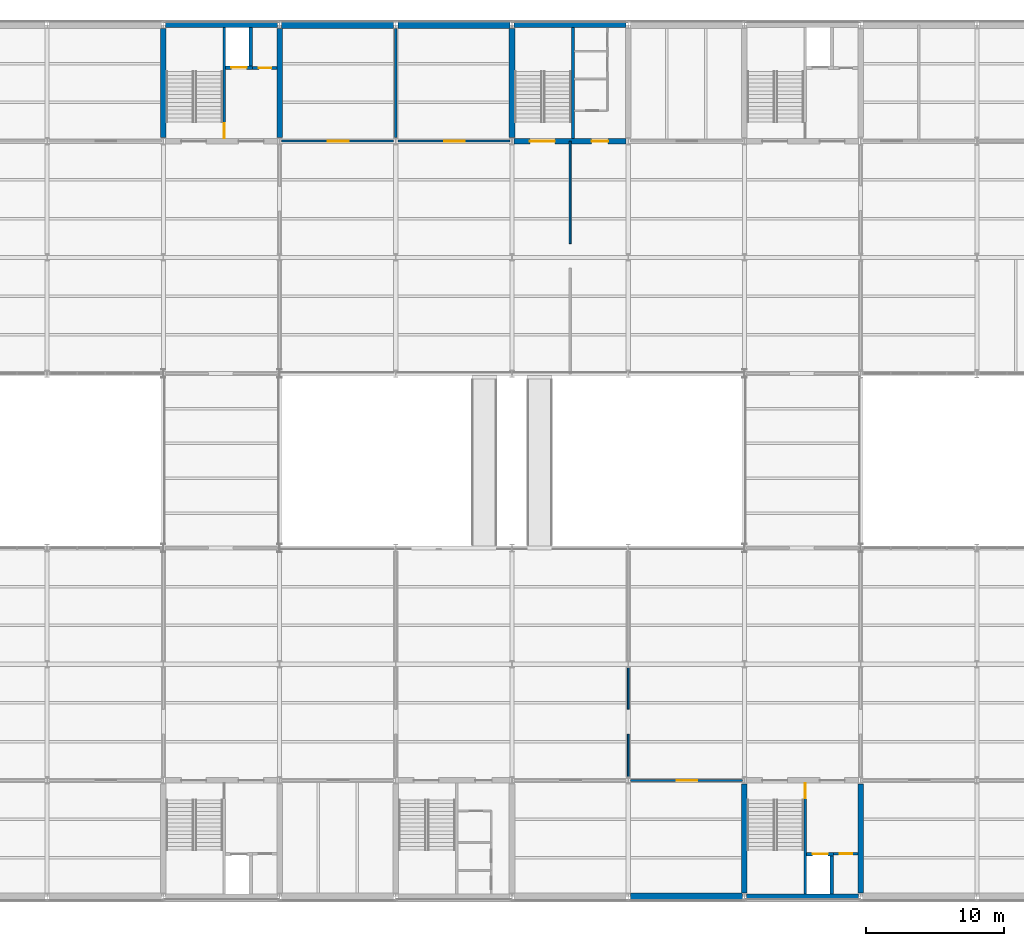
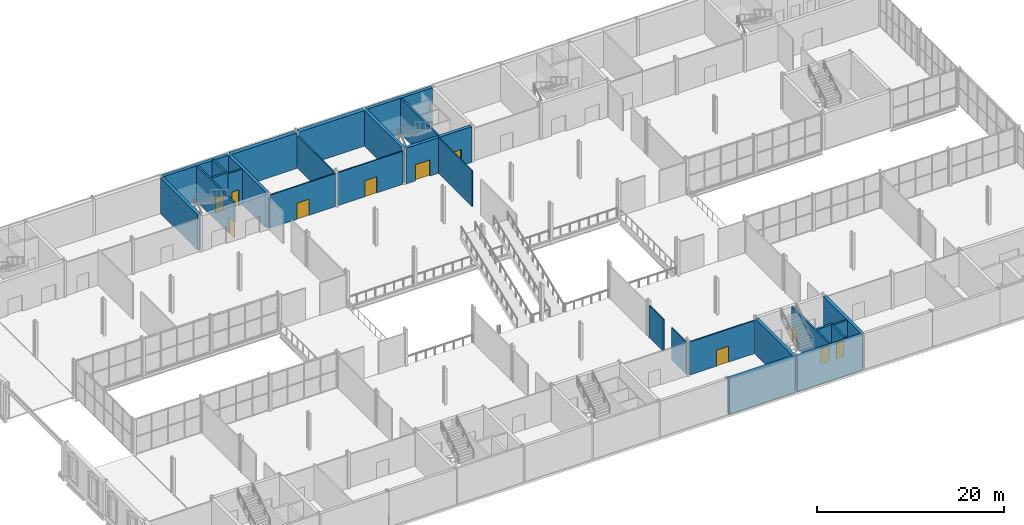
# One storey, part 38 of 61: 28 walls, 11 doors, 11 openings.
"""IFC4 building model written with IfcOpenShell, lengths in metres."""

from ifc_helpers import new_model, si_unit, direction, frame, frame_2d, origin, place, context, subcontext, project, spatial, rectangle, extrude, material, layer, layer_set, type_object, element, fill, save


model = new_model("IFC4")

# Units and contexts
model_context = context("Model", 3, precision=1e-05, world=origin(), true_north=direction((0.0, 1.0)))
body_context = subcontext(model_context, "Body", "Model", "MODEL_VIEW")
ifc_project = project(units=[si_unit("LENGTHUNIT", "METRE"), si_unit("AREAUNIT", "SQUARE_METRE"), si_unit("VOLUMEUNIT", "CUBIC_METRE"), si_unit("PLANEANGLEUNIT", "RADIAN"), si_unit("MASSUNIT", "GRAM", prefix="KILO")], contexts=[model_context])

# Site, building, storey
site_placement = place(None, origin())
site = spatial("IfcSite", under=ifc_project, at=site_placement, CompositionType="ELEMENT")
building_placement = place(site_placement, origin())
building = spatial("IfcBuilding", under=site, at=building_placement, Name="Galleria Vessillo Department Store", CompositionType="ELEMENT")
storey_placement = place(building_placement, frame((0.0, 0.0, 11.39990234375)))
storey = spatial("IfcBuildingStorey", under=building, at=storey_placement, Name="L02", CompositionType="ELEMENT", Elevation=11.39990234375)

# Wall, opening, door
ifc_material_1 = material(Name="Solid clay block masonry", Category="masonry")
ifc_layer_1 = layer(ifc_material_1, 0.25)
ifc_layer_set_1 = layer_set([ifc_layer_1], Name="Solid clay block masonry")
wall_type_1 = type_object("IfcWallType", Name="Lift shaft wall 250 mm", PredefinedType="SOLIDWALL", material=ifc_layer_set_1)
wall_1_placement = place(storey_placement, frame((38.10009765625, 59.925048828125, 0.0), z_axis=(0.0, 0.0, 1.0), x_axis=(1.0, 0.0, 0.0)))
wall_1 = element("IfcWall", 1, at=wall_1_placement, inside=storey, type_object=wall_type_1, Name="Lift shaft wall LP4 landing side L02", PredefinedType="SOLIDWALL", context=body_context, shape_type="SweptSolid", body=[
    extrude(rectangle(XDim=1.949951171875, YDim=0.25, at=frame_2d((0.97509765625, 0.0))), origin(), (0.0, 0.0, 1.0), 4.800048828125),
])
opening_1_placement = place(wall_1_placement, frame((0.4248046875, 0.0, 0.0)))
opening_1 = element("IfcOpeningElement", 2, at=opening_1_placement, cuts=wall_1, Name="Opening LD029", PredefinedType="OPENING", context=body_context, shape_type="SweptSolid", body=[
    extrude(rectangle(XDim=1.10009765625, YDim=2.10009765625, at=frame_2d((0.550048828125, 1.050048828125))), frame((0.0, 0.135009765625, 0.0), z_axis=(0.0, -1.0, 0.0), x_axis=(1.0, 0.0, 0.0)), (0.0, 0.0, 1.0), 0.27001953125),
])
ifc_material_2 = material(Name="Stainless steel lift door panel", Category="steel")
door_type_1 = type_object("IfcDoorType", Name="Lift landing door LD110 sliding 1100 x 2100", OperationType="SLIDING_TO_LEFT", PredefinedType="DOOR", material=ifc_material_2)
door_1_placement = place(opening_1_placement, frame((1.10009765625, 0.0, 0.0), z_axis=(0.0, 0.0, 1.0), x_axis=(-1.0, 0.0, 0.0)))
door_1 = element("IfcDoor", 3, at=door_1_placement, inside=storey, type_object=door_type_1, Name="Lift landing door LP4 L02", OperationType="SLIDING_TO_RIGHT", OverallHeight=2.10009765625, OverallWidth=1.10009765625, PredefinedType="DOOR", context=body_context, shape_type="SweptSolid", body=[
    extrude(rectangle(XDim=1.10009765625, YDim=2.10009765625, at=frame_2d((0.550048828125, 1.050048828125))), frame((0.0, 0.02490234375, 0.0), z_axis=(0.0, -1.0, 0.0), x_axis=(1.0, 0.0, 0.0)), (0.0, 0.0, 1.0), 0.050048828125),
])
fill(opening_1, door_1)

# Wall
wall_2_placement = place(storey_placement, frame((39.925048828125, 62.800048828125, 0.0), z_axis=(0.0, 0.0, 1.0), x_axis=(0.0, -1.0, 0.0)))
element("IfcWall", 4, at=wall_2_placement, inside=storey, type_object=wall_type_1, Name="Lift shaft wall LP4 L02", PredefinedType="SOLIDWALL", context=body_context, shape_type="SweptSolid", body=[
    extrude(rectangle(XDim=2.75, YDim=0.25, at=frame_2d((1.375, 0.0))), origin(), (0.0, 0.0, 1.0), 4.800048828125),
])

# Wall, opening, door
wall_3_placement = place(storey_placement, frame((80.10009765625, 3.074951171875, 0.0), z_axis=(0.0, 0.0, 1.0), x_axis=(1.0, 0.0, 0.0)))
wall_3 = element("IfcWall", 5, at=wall_3_placement, inside=storey, type_object=wall_type_1, Name="Lift shaft wall LP5 landing side L02", PredefinedType="SOLIDWALL", context=body_context, shape_type="SweptSolid", body=[
    extrude(rectangle(XDim=1.949951171875, YDim=0.25, at=frame_2d((0.97509765625, 0.0))), origin(), (0.0, 0.0, 1.0), 4.800048828125),
])
opening_2_placement = place(wall_3_placement, frame((0.4248046875, 0.0, 0.0)))
opening_2 = element("IfcOpeningElement", 6, at=opening_2_placement, cuts=wall_3, Name="Opening LD037", PredefinedType="OPENING", context=body_context, shape_type="SweptSolid", body=[
    extrude(rectangle(XDim=1.10009765625, YDim=2.10009765625, at=frame_2d((0.550048828125, 1.050048828125))), frame((0.0, 0.135009765625, 0.0), z_axis=(0.0, -1.0, 0.0), x_axis=(1.0, 0.0, 0.0)), (0.0, 0.0, 1.0), 0.27001953125),
])
door_2_placement = place(opening_2_placement, origin())
door_2 = element("IfcDoor", 7, at=door_2_placement, inside=storey, type_object=door_type_1, Name="Lift landing door LP5 L02", OperationType="SLIDING_TO_LEFT", OverallHeight=2.10009765625, OverallWidth=1.10009765625, PredefinedType="DOOR", context=body_context, shape_type="SweptSolid", body=[
    extrude(rectangle(XDim=1.10009765625, YDim=2.10009765625, at=frame_2d((0.550048828125, 1.050048828125))), frame((0.0, 0.02490234375, 0.0), z_axis=(0.0, -1.0, 0.0), x_axis=(1.0, 0.0, 0.0)), (0.0, 0.0, 1.0), 0.050048828125),
])
fill(opening_2, door_2)

# Walls
wall_4_placement = place(storey_placement, frame((81.925048828125, 0.199951171875, 0.0), z_axis=(0.0, 0.0, 1.0), x_axis=(0.0, 1.0, 0.0)))
element("IfcWall", 8, at=wall_4_placement, inside=storey, type_object=wall_type_1, Name="Lift shaft wall LP5 L02", PredefinedType="SOLIDWALL", context=body_context, shape_type="SweptSolid", body=[
    extrude(rectangle(XDim=2.75, YDim=0.25, at=frame_2d((1.375, 0.0))), origin(), (0.0, 0.0, 1.0), 4.800048828125),
])
ifc_material_3 = material(Name="Concrete C32/40 reinforced", Category="concrete")
ifc_layer_2 = layer(ifc_material_3, 0.39990234375)
ifc_layer_set_2 = layer_set([ifc_layer_2], Name="Concrete C32/40 reinforced")
wall_type_2 = type_object("IfcWallType", Name="Reinforced concrete core wall 400 mm", PredefinedType="SHEAR", material=ifc_layer_set_2)
for number, where, z_axis, x_axis, name in (
    (9, (33.60009765625, 54.85009765625, 0.0), (0.0, 0.0, 1.0), (0.0, 1.0, 0.0), "S-CW-PC-NM-WEST-L02"),
    (10, (42.0, 54.85009765625, 0.0), (0.0, 0.0, 1.0), (0.0, 1.0, 0.0), "S-CW-PC-NM-EAST-L02"),
    (11, (75.60009765625, 0.25, 0.0), (0.0, 0.0, 1.0), (0.0, 1.0, 0.0), "S-CW-PC-SE-WEST-L02"),
    (12, (84.0, 0.25, 0.0), (0.0, 0.0, 1.0), (0.0, 1.0, 0.0), "S-CW-PC-SE-EAST-L02"),
):
    element("IfcWall", number, at=place(storey_placement, frame(where, z_axis=z_axis, x_axis=x_axis)), inside=storey, type_object=wall_type_2, Name=name, PredefinedType="SHEAR", context=body_context, shape_type="SweptSolid", body=[
        extrude(rectangle(XDim=7.89990234375, YDim=0.39990234375, at=frame_2d((3.949951171875, 0.0))), origin(), (0.0, 0.0, 1.0), 4.650146484375),
    ])

# Wall, openings, doors
wall_5_placement = place(storey_placement, frame((58.949951171875, 54.60009765625, 0.0), z_axis=(0.0, 0.0, 1.0), x_axis=(1.0, 0.0, 0.0)))
wall_5 = element("IfcWall", 13, at=wall_5_placement, inside=storey, type_object=wall_type_2, Name="S-CW-PC-NC-INTERIOR-L02", PredefinedType="SHEAR", context=body_context, shape_type="SweptSolid", body=[
    extrude(rectangle(XDim=8.10009765625, YDim=0.39990234375, at=frame_2d((4.050048828125, 0.0))), origin(), (0.0, 0.0, 1.0), 4.650146484375),
])
opening_3_placement = place(wall_5_placement, frame((1.14990234375, 0.0, 0.0)))
opening_3 = element("IfcOpeningElement", 14, at=opening_3_placement, cuts=wall_5, Name="Opening D5211", PredefinedType="OPENING", context=body_context, shape_type="SweptSolid", body=[
    extrude(rectangle(XDim=1.800048828125, YDim=2.10009765625, at=frame_2d((0.89990234375, 1.050048828125))), frame((0.0, 0.2099609375, 0.0), z_axis=(0.0, -1.0, 0.0), x_axis=(1.0, 0.0, 0.0)), (0.0, 0.0, 1.0), 0.419921875),
])
opening_4_placement = place(wall_5_placement, frame((5.599853515625, 0.0, 0.0)))
opening_4 = element("IfcOpeningElement", 15, at=opening_4_placement, cuts=wall_5, Name="Opening D5212", PredefinedType="OPENING", context=body_context, shape_type="SweptSolid", body=[
    extrude(rectangle(XDim=1.199951171875, YDim=2.10009765625, at=frame_2d((0.60009765625, 1.050048828125))), frame((0.0, 0.2099609375, 0.0), z_axis=(0.0, -1.0, 0.0), x_axis=(1.0, 0.0, 0.0)), (0.0, 0.0, 1.0), 0.419921875),
])
ifc_material_4 = material(Name="Fire-rated steel door leaf", Category="steel")
door_type_2 = type_object("IfcDoorType", Name="Door D120F fire door 1200 x 2100", OperationType="SINGLE_SWING_LEFT", PredefinedType="DOOR", material=ifc_material_4)
door_3_placement = place(opening_4_placement, origin())
door_3 = element("IfcDoor", 16, at=door_3_placement, inside=storey, type_object=door_type_2, Name="Lobby door PC-NC-WC-FLOOR L02", OperationType="SINGLE_SWING_LEFT", OverallHeight=2.10009765625, OverallWidth=1.199951171875, PredefinedType="DOOR", context=body_context, shape_type="SweptSolid", body=[
    extrude(rectangle(XDim=1.199951171875, YDim=2.10009765625, at=frame_2d((0.60009765625, 1.050048828125))), frame((0.0, 0.02490234375, 0.0), z_axis=(0.0, -1.0, 0.0), x_axis=(1.0, 0.0, 0.0)), (0.0, 0.0, 1.0), 0.050048828125),
])
fill(opening_4, door_3)
ifc_material_5 = material(Name="Fire-rated steel door leaf", Category="steel")
door_type_3 = type_object("IfcDoorType", Name="Door D180F double leaf 1800 x 2100", OperationType="DOUBLE_DOOR_SINGLE_SWING", PredefinedType="DOOR", material=ifc_material_5)
door_4_placement = place(opening_3_placement, origin())
door_4 = element("IfcDoor", 17, at=door_4_placement, inside=storey, type_object=door_type_3, Name="Lobby door PC-NC-ST-FLOOR L02", OperationType="DOUBLE_DOOR_SINGLE_SWING", OverallHeight=2.10009765625, OverallWidth=1.800048828125, PredefinedType="DOOR", context=body_context, shape_type="SweptSolid", body=[
    extrude(rectangle(XDim=1.800048828125, YDim=2.10009765625, at=frame_2d((0.89990234375, 1.050048828125))), frame((0.0, 0.02490234375, 0.0), z_axis=(0.0, -1.0, 0.0), x_axis=(1.0, 0.0, 0.0)), (0.0, 0.0, 1.0), 0.050048828125),
])
fill(opening_3, door_4)

# Walls
wall_6_placement = place(storey_placement, frame((58.800048828125, 54.85009765625, 0.0), z_axis=(0.0, 0.0, 1.0), x_axis=(0.0, 1.0, 0.0)))
element("IfcWall", 18, at=wall_6_placement, inside=storey, type_object=wall_type_2, Name="S-CW-PC-NC-WEST-L02", PredefinedType="SHEAR", context=body_context, shape_type="SweptSolid", body=[
    extrude(rectangle(XDim=7.89990234375, YDim=0.39990234375, at=frame_2d((3.949951171875, 0.0))), origin(), (0.0, 0.0, 1.0), 4.650146484375),
])
ifc_material_6 = material(Name="Concrete C32/40 reinforced", Category="concrete")
ifc_layer_3 = layer(ifc_material_6, 0.39990234375)
ifc_layer_set_3 = layer_set([ifc_layer_3], Name="Concrete C32/40 reinforced")
wall_type_3 = type_object("IfcWallType", Name="Reinforced concrete core wall 400 mm, external", PredefinedType="SHEAR", material=ifc_layer_set_3)
for number, where, z_axis, x_axis, name in (
    (19, (33.75, 63.0, 0.0), (0.0, 0.0, 1.0), (1.0, 0.0, 0.0), "S-CW-PC-NM-PARTY-L02"),
    (20, (75.75, 0.0, 0.0), (0.0, 0.0, 1.0), (1.0, 0.0, 0.0), "S-CW-PC-SE-PARTY-L02"),
    (21, (58.949951171875, 63.0, 0.0), (0.0, 0.0, 1.0), (1.0, 0.0, 0.0), "S-CW-PC-NC-PARTY-L02"),
):
    element("IfcWall", number, at=place(storey_placement, frame(where, z_axis=z_axis, x_axis=x_axis)), inside=storey, type_object=wall_type_3, Name=name, PredefinedType="SHEAR", context=body_context, shape_type="SweptSolid", body=[
        extrude(rectangle(XDim=8.10009765625, YDim=0.39990234375, at=frame_2d((4.050048828125, 0.0))), origin(), (0.0, 0.0, 1.0), 4.650146484375),
    ])
ifc_material_7 = material(Name="Concrete C32/40 reinforced", Category="concrete")
ifc_layer_4 = layer(ifc_material_7, 0.5)
ifc_layer_set_4 = layer_set([ifc_layer_4], Name="Concrete C32/40 reinforced")
wall_type_4 = type_object("IfcWallType", Name="Reinforced concrete party wall 500 mm", PredefinedType="SHEAR", material=ifc_layer_set_4)
wall_7_placement = place(storey_placement, frame((67.349853515625, 0.0, 0.0), z_axis=(0.0, 0.0, 1.0), x_axis=(1.0, 0.0, 0.0)))
element("IfcWall", 22, at=wall_7_placement, inside=storey, type_object=wall_type_4, Name="S-PS-L02-06", PredefinedType="SHEAR", context=body_context, shape_type="SweptSolid", body=[
    extrude(rectangle(XDim=8.100341796875, YDim=0.5, at=frame_2d((4.05029296875, 0.0))), origin(), (0.0, 0.0, 1.0), 4.650146484375),
])
wall_8_placement = place(storey_placement, frame((42.14990234375, 63.0, 0.0), z_axis=(0.0, 0.0, 1.0), x_axis=(1.0, 0.0, 0.0)))
element("IfcWall", 23, at=wall_8_placement, inside=storey, type_object=wall_type_4, Name="S-PN-L02-04", PredefinedType="SHEAR", context=body_context, shape_type="SweptSolid", body=[
    extrude(rectangle(XDim=8.10009765625, YDim=0.5, at=frame_2d((4.050048828125, 0.0))), origin(), (0.0, 0.0, 1.0), 4.650146484375),
])
wall_9_placement = place(storey_placement, frame((50.5498046875, 63.0, 0.0), z_axis=(0.0, 0.0, 1.0), x_axis=(1.0, 0.0, 0.0)))
element("IfcWall", 24, at=wall_9_placement, inside=storey, type_object=wall_type_4, Name="S-PN-L02-05", PredefinedType="SHEAR", context=body_context, shape_type="SweptSolid", body=[
    extrude(rectangle(XDim=8.100341796875, YDim=0.5, at=frame_2d((4.05029296875, 0.0))), origin(), (0.0, 0.0, 1.0), 4.650146484375),
])

# Wall, opening, door
ifc_material_8 = material(Name="Concrete C32/40 reinforced", Category="concrete")
ifc_layer_5 = layer(ifc_material_8, 0.199951171875)
ifc_layer_set_5 = layer_set([ifc_layer_5], Name="Concrete C32/40 reinforced")
wall_type_5 = type_object("IfcWallType", Name="Reinforced concrete stair enclosure wall 200 mm", PredefinedType="SHEAR", material=ifc_layer_set_5)
wall_10_placement = place(storey_placement, frame((38.0, 62.800048828125, 0.0), z_axis=(0.0, 0.0, 1.0), x_axis=(0.0, -1.0, 0.0)))
wall_10 = element("IfcWall", 25, at=wall_10_placement, inside=storey, type_object=wall_type_5, Name="Stair enclosure wall PC-NM L02", PredefinedType="SHEAR", context=body_context, shape_type="SweptSolid", body=[
    extrude(rectangle(XDim=8.0, YDim=0.199951171875, at=frame_2d((4.0, 0.0))), origin(), (0.0, 0.0, 1.0), 4.650146484375),
])
opening_5_placement = place(wall_10_placement, frame((6.89990234375, 0.0, 0.0)))
opening_5 = element("IfcOpeningElement", 26, at=opening_5_placement, cuts=wall_10, Name="Opening D5111", PredefinedType="OPENING", context=body_context, shape_type="SweptSolid", body=[
    extrude(rectangle(XDim=1.11009765625, YDim=2.10009765625, at=frame_2d((0.554931640625, 1.050048828125))), frame((0.0, 0.10986328125, 0.0), z_axis=(0.0, -1.0, 0.0), x_axis=(1.0, 0.0, 0.0)), (0.0, 0.0, 1.0), 0.219970703125),
])
ifc_material_9 = material(Name="Fire-rated steel door leaf", Category="steel")
door_type_4 = type_object("IfcDoorType", Name="Door D110F stair door 1100 x 2100", OperationType="SINGLE_SWING_LEFT", PredefinedType="DOOR", material=ifc_material_9)
door_5_placement = place(opening_5_placement, frame((1.10009765625, 0.0, 0.0), z_axis=(0.0, 0.0, 1.0), x_axis=(-1.0, 0.0, 0.0)))
door_5 = element("IfcDoor", 27, at=door_5_placement, inside=storey, type_object=door_type_4, Name="Stair door PC-NM-ST-LOBBY L02", OperationType="SINGLE_SWING_LEFT", OverallHeight=2.10009765625, OverallWidth=1.10009765625, PredefinedType="DOOR", context=body_context, shape_type="SweptSolid", body=[
    extrude(rectangle(XDim=1.10009765625, YDim=2.10009765625, at=frame_2d((0.550048828125, 1.050048828125))), frame((0.0, 0.02490234375, 0.0), z_axis=(0.0, -1.0, 0.0), x_axis=(1.0, 0.0, 0.0)), (0.0, 0.0, 1.0), 0.050048828125),
])
fill(opening_5, door_5)

wall_11_placement = place(storey_placement, frame((80.0, 0.199951171875, 0.0), z_axis=(0.0, 0.0, 1.0), x_axis=(0.0, 1.0, 0.0)))
wall_11 = element("IfcWall", 28, at=wall_11_placement, inside=storey, type_object=wall_type_5, Name="Stair enclosure wall PC-SE L02", PredefinedType="SHEAR", context=body_context, shape_type="SweptSolid", body=[
    extrude(rectangle(XDim=8.0, YDim=0.199951171875, at=frame_2d((4.0, 0.0))), origin(), (0.0, 0.0, 1.0), 4.650146484375),
])
opening_6_placement = place(wall_11_placement, frame((6.89990234375, 0.0, 0.0)))
opening_6 = element("IfcOpeningElement", 29, at=opening_6_placement, cuts=wall_11, Name="Opening D5142", PredefinedType="OPENING", context=body_context, shape_type="SweptSolid", body=[
    extrude(rectangle(XDim=1.11009765625, YDim=2.10009765625, at=frame_2d((0.554931640625, 1.050048828125))), frame((0.0, 0.10986328125, 0.0), z_axis=(0.0, -1.0, 0.0), x_axis=(1.0, 0.0, 0.0)), (0.0, 0.0, 1.0), 0.219970703125),
])
door_6_placement = place(opening_6_placement, origin())
door_6 = element("IfcDoor", 30, at=door_6_placement, inside=storey, type_object=door_type_4, Name="Stair door PC-SE-ST-LOBBY L02", OperationType="SINGLE_SWING_RIGHT", OverallHeight=2.10009765625, OverallWidth=1.10009765625, PredefinedType="DOOR", context=body_context, shape_type="SweptSolid", body=[
    extrude(rectangle(XDim=1.10009765625, YDim=2.10009765625, at=frame_2d((0.550048828125, 1.050048828125))), frame((0.0, 0.02490234375, 0.0), z_axis=(0.0, -1.0, 0.0), x_axis=(1.0, 0.0, 0.0)), (0.0, 0.0, 1.0), 0.050048828125),
])
fill(opening_6, door_6)

# Wall
wall_12_placement = place(storey_placement, frame((63.199951171875, 62.800048828125, 0.0), z_axis=(0.0, 0.0, 1.0), x_axis=(0.0, -1.0, 0.0)))
element("IfcWall", 31, at=wall_12_placement, inside=storey, type_object=wall_type_5, Name="Stair enclosure wall PC-NC L02", PredefinedType="SHEAR", context=body_context, shape_type="SweptSolid", body=[
    extrude(rectangle(XDim=8.0, YDim=0.199951171875, at=frame_2d((4.0, 0.0))), origin(), (0.0, 0.0, 1.0), 4.650146484375),
])

# Wall, opening, door
ifc_material_10 = material(Name="Hollow clay block masonry", Category="masonry")
ifc_layer_6 = layer(ifc_material_10, 0.199951171875)
ifc_layer_set_6 = layer_set([ifc_layer_6], Name="Hollow clay block masonry")
wall_type_6 = type_object("IfcWallType", Name="Riser and service room wall 200 mm", PredefinedType="PARTITIONING", material=ifc_layer_set_6)
wall_13_placement = place(storey_placement, frame((40.050048828125, 59.900146484375, 0.0), z_axis=(0.0, 0.0, 1.0), x_axis=(1.0, 0.0, 0.0)))
wall_13 = element("IfcWall", 32, at=wall_13_placement, inside=storey, type_object=wall_type_6, Name="Riser wall PC-NM-RISER L02", PredefinedType="PARTITIONING", context=body_context, shape_type="SweptSolid", body=[
    extrude(rectangle(XDim=1.75, YDim=0.199951171875, at=frame_2d((0.875, 0.0))), origin(), (0.0, 0.0, 1.0), 4.650146484375),
])
opening_7_placement = place(wall_13_placement, frame((0.449951171875, 0.0, 0.0)))
opening_7 = element("IfcOpeningElement", 33, at=opening_7_placement, cuts=wall_13, Name="Opening D5112", PredefinedType="OPENING", context=body_context, shape_type="SweptSolid", body=[
    extrude(rectangle(XDim=0.89990234375, YDim=2.10009765625, at=frame_2d((0.449951171875, 1.050048828125))), frame((0.0, 0.10986328125, 0.0), z_axis=(0.0, -1.0, 0.0), x_axis=(1.0, 0.0, 0.0)), (0.0, 0.0, 1.0), 0.219970703125),
])
ifc_material_11 = material(Name="Fire-rated steel door leaf", Category="steel")
door_type_5 = type_object("IfcDoorType", Name="Door DR90 riser access 900 x 2100", OperationType="SINGLE_SWING_LEFT", PredefinedType="DOOR", material=ifc_material_11)
door_7_placement = place(opening_7_placement, origin())
door_7 = element("IfcDoor", 34, at=door_7_placement, inside=storey, type_object=door_type_5, Name="Riser door PC-NM-RISER-D L02", OperationType="SINGLE_SWING_RIGHT", OverallHeight=2.10009765625, OverallWidth=0.89990234375, PredefinedType="DOOR", context=body_context, shape_type="SweptSolid", body=[
    extrude(rectangle(XDim=0.89990234375, YDim=2.10009765625, at=frame_2d((0.449951171875, 1.050048828125))), frame((0.0, 0.02490234375, 0.0), z_axis=(0.0, -1.0, 0.0), x_axis=(1.0, 0.0, 0.0)), (0.0, 0.0, 1.0), 0.050048828125),
])
fill(opening_7, door_7)

wall_14_placement = place(storey_placement, frame((82.050048828125, 3.099853515625, 0.0), z_axis=(0.0, 0.0, 1.0), x_axis=(1.0, 0.0, 0.0)))
wall_14 = element("IfcWall", 35, at=wall_14_placement, inside=storey, type_object=wall_type_6, Name="Riser wall PC-SE-RISER L02", PredefinedType="PARTITIONING", context=body_context, shape_type="SweptSolid", body=[
    extrude(rectangle(XDim=1.75, YDim=0.199951171875, at=frame_2d((0.875, 0.0))), origin(), (0.0, 0.0, 1.0), 4.650146484375),
])
opening_8_placement = place(wall_14_placement, frame((0.449951171875, 0.0, 0.0)))
opening_8 = element("IfcOpeningElement", 36, at=opening_8_placement, cuts=wall_14, Name="Opening D5143", PredefinedType="OPENING", context=body_context, shape_type="SweptSolid", body=[
    extrude(rectangle(XDim=0.89990234375, YDim=2.10009765625, at=frame_2d((0.449951171875, 1.050048828125))), frame((0.0, 0.10986328125, 0.0), z_axis=(0.0, -1.0, 0.0), x_axis=(1.0, 0.0, 0.0)), (0.0, 0.0, 1.0), 0.219970703125),
])
door_8_placement = place(opening_8_placement, frame((0.89990234375, 0.0, 0.0), z_axis=(0.0, 0.0, 1.0), x_axis=(-1.0, 0.0, 0.0)))
door_8 = element("IfcDoor", 37, at=door_8_placement, inside=storey, type_object=door_type_5, Name="Riser door PC-SE-RISER-D L02", OperationType="SINGLE_SWING_LEFT", OverallHeight=2.10009765625, OverallWidth=0.89990234375, PredefinedType="DOOR", context=body_context, shape_type="SweptSolid", body=[
    extrude(rectangle(XDim=0.89990234375, YDim=2.10009765625, at=frame_2d((0.449951171875, 1.050048828125))), frame((0.0, 0.02490234375, 0.0), z_axis=(0.0, -1.0, 0.0), x_axis=(1.0, 0.0, 0.0)), (0.0, 0.0, 1.0), 0.050048828125),
])
fill(opening_8, door_8)

# Walls
ifc_material_12 = material(Name="Gypsum board partition")
ifc_layer_7 = layer(ifc_material_12, 0.139892578125)
ifc_layer_set_7 = layer_set([ifc_layer_7], Name="Gypsum board partition")
wall_type_7 = type_object("IfcWallType", Name="Sales dividing wall 140 mm", PredefinedType="PARTITIONING", material=ifc_layer_set_7)
wall_15_placement = place(storey_placement, frame((67.199951171875, 8.64990234375, 0.0), z_axis=(0.0, 0.0, 1.0), x_axis=(0.0, 1.0, 0.0)))
element("IfcWall", 38, at=wall_15_placement, inside=storey, type_object=wall_type_7, Name="Partition wall PT3 on L02 no. 048", PredefinedType="PARTITIONING", context=body_context, shape_type="SweptSolid", body=[
    extrude(rectangle(XDim=3.10009765625, YDim=0.139892578125, at=frame_2d((1.550048828125, 0.0))), origin(), (0.0, 0.0, 1.0), 4.210205078125),
])
wall_16_placement = place(storey_placement, frame((67.199951171875, 13.5498046875, 0.0), z_axis=(0.0, 0.0, 1.0), x_axis=(0.0, 1.0, 0.0)))
element("IfcWall", 39, at=wall_16_placement, inside=storey, type_object=wall_type_7, Name="Partition wall PT3 on L02 no. 049", PredefinedType="PARTITIONING", context=body_context, shape_type="SweptSolid", body=[
    extrude(rectangle(XDim=3.000244140625, YDim=0.139892578125, at=frame_2d((1.5, 0.0))), origin(), (0.0, 0.0, 1.0), 4.210205078125),
])
wall_17_placement = place(storey_placement, frame((63.0, 47.199951171875, 0.0), z_axis=(0.0, 0.0, 1.0), x_axis=(0.0, 1.0, 0.0)))
element("IfcWall", 40, at=wall_17_placement, inside=storey, type_object=wall_type_7, Name="Partition wall PT3 on L02 no. 067", PredefinedType="PARTITIONING", context=body_context, shape_type="SweptSolid", body=[
    extrude(rectangle(XDim=7.39013671875, YDim=0.139892578125, at=frame_2d((3.695068359375, 0.0))), origin(), (0.0, 0.0, 1.0), 4.650146484375),
])

# Wall, opening, door
ifc_material_13 = material(Name="Concrete blockwork", Category="masonry")
ifc_layer_8 = layer(ifc_material_13, 0.14990234375)
ifc_layer_set_8 = layer_set([ifc_layer_8], Name="Concrete blockwork")
wall_type_8 = type_object("IfcWallType", Name="Stockroom blockwork wall 150 mm", PredefinedType="SOLIDWALL", material=ifc_layer_set_8)
wall_18_placement = place(storey_placement, frame((67.349853515625, 8.39990234375, 0.0), z_axis=(0.0, 0.0, 1.0), x_axis=(1.0, 0.0, 0.0)))
wall_18 = element("IfcWall", 41, at=wall_18_placement, inside=storey, type_object=wall_type_8, Name="Partition wall PT4 on L02 no. 019", PredefinedType="SOLIDWALL", context=body_context, shape_type="SweptSolid", body=[
    extrude(rectangle(XDim=8.100341796875, YDim=0.14990234375, at=frame_2d((4.05029296875, 0.0))), origin(), (0.0, 0.0, 1.0), 4.320068359375),
])
opening_9_placement = place(wall_18_placement, frame((3.35009765625, 0.0, 0.0)))
opening_9 = element("IfcOpeningElement", 42, at=opening_9_placement, cuts=wall_18, Name="Opening D2411", PredefinedType="OPENING", context=body_context, shape_type="SweptSolid", body=[
    extrude(rectangle(XDim=1.5, YDim=2.10009765625, at=frame_2d((0.75, 1.050048828125))), frame((0.0, 0.0849609375, 0.0), z_axis=(0.0, -1.0, 0.0), x_axis=(1.0, 0.0, 0.0)), (0.0, 0.0, 1.0), 0.169921875),
])
ifc_material_14 = material(Name="Steel fire door leaf", Category="steel")
door_type_6 = type_object("IfcDoorType", Name="Stockroom fire door 1500 double leaf", OperationType="DOUBLE_DOOR_SINGLE_SWING", PredefinedType="DOOR", material=ifc_material_14)
door_9_placement = place(opening_9_placement, frame((1.5, 0.0, 0.0), z_axis=(0.0, 0.0, 1.0), x_axis=(-1.0, 0.0, 0.0)))
door_9 = element("IfcDoor", 43, at=door_9_placement, inside=storey, type_object=door_type_6, Name="Door D2411", OperationType="DOUBLE_DOOR_SINGLE_SWING", OverallHeight=2.10009765625, OverallWidth=1.5, PredefinedType="DOOR", context=body_context, shape_type="SweptSolid", body=[
    extrude(rectangle(XDim=1.5, YDim=2.10009765625, at=frame_2d((0.75, 1.050048828125))), frame((0.0, 0.02490234375, 0.0), z_axis=(0.0, -1.0, 0.0), x_axis=(1.0, 0.0, 0.0)), (0.0, 0.0, 1.0), 0.050048828125),
])
fill(opening_9, door_9)

# Wall
wall_19_placement = place(storey_placement, frame((50.39990234375, 54.85009765625, 0.0), z_axis=(0.0, 0.0, 1.0), x_axis=(0.0, 1.0, 0.0)))
element("IfcWall", 44, at=wall_19_placement, inside=storey, type_object=wall_type_8, Name="Partition wall PT4 on L02 no. 028", PredefinedType="SOLIDWALL", context=body_context, shape_type="SweptSolid", body=[
    extrude(rectangle(XDim=7.89990234375, YDim=0.14990234375, at=frame_2d((3.949951171875, 0.0))), origin(), (0.0, 0.0, 1.0), 4.210205078125),
])

# Wall, opening, door
wall_20_placement = place(storey_placement, frame((42.14990234375, 54.60009765625, 0.0), z_axis=(0.0, 0.0, 1.0), x_axis=(1.0, 0.0, 0.0)))
wall_20 = element("IfcWall", 45, at=wall_20_placement, inside=storey, type_object=wall_type_8, Name="Partition wall PT4 on L02 no. 029", PredefinedType="SOLIDWALL", context=body_context, shape_type="SweptSolid", body=[
    extrude(rectangle(XDim=8.10009765625, YDim=0.14990234375, at=frame_2d((4.050048828125, 0.0))), origin(), (0.0, 0.0, 1.0), 4.320068359375),
])
opening_10_placement = place(wall_20_placement, frame((3.35009765625, 0.0, 0.0)))
opening_10 = element("IfcOpeningElement", 46, at=opening_10_placement, cuts=wall_20, Name="Opening D2417", PredefinedType="OPENING", context=body_context, shape_type="SweptSolid", body=[
    extrude(rectangle(XDim=1.5, YDim=2.10009765625, at=frame_2d((0.75, 1.050048828125))), frame((0.0, 0.0849609375, 0.0), z_axis=(0.0, -1.0, 0.0), x_axis=(1.0, 0.0, 0.0)), (0.0, 0.0, 1.0), 0.169921875),
])
door_10_placement = place(opening_10_placement, origin())
door_10 = element("IfcDoor", 47, at=door_10_placement, inside=storey, type_object=door_type_6, Name="Door D2417", OperationType="DOUBLE_DOOR_SINGLE_SWING", OverallHeight=2.10009765625, OverallWidth=1.5, PredefinedType="DOOR", context=body_context, shape_type="SweptSolid", body=[
    extrude(rectangle(XDim=1.5, YDim=2.10009765625, at=frame_2d((0.75, 1.050048828125))), frame((0.0, 0.02490234375, 0.0), z_axis=(0.0, -1.0, 0.0), x_axis=(1.0, 0.0, 0.0)), (0.0, 0.0, 1.0), 0.050048828125),
])
fill(opening_10, door_10)

wall_21_placement = place(storey_placement, frame((50.5498046875, 54.60009765625, 0.0), z_axis=(0.0, 0.0, 1.0), x_axis=(1.0, 0.0, 0.0)))
wall_21 = element("IfcWall", 48, at=wall_21_placement, inside=storey, type_object=wall_type_8, Name="Partition wall PT4 on L02 no. 030", PredefinedType="SOLIDWALL", context=body_context, shape_type="SweptSolid", body=[
    extrude(rectangle(XDim=8.100341796875, YDim=0.14990234375, at=frame_2d((4.05029296875, 0.0))), origin(), (0.0, 0.0, 1.0), 4.320068359375),
])
opening_11_placement = place(wall_21_placement, frame((3.35009765625, 0.0, 0.0)))
opening_11 = element("IfcOpeningElement", 49, at=opening_11_placement, cuts=wall_21, Name="Opening D2418", PredefinedType="OPENING", context=body_context, shape_type="SweptSolid", body=[
    extrude(rectangle(XDim=1.5, YDim=2.10009765625, at=frame_2d((0.75, 1.050048828125))), frame((0.0, 0.0849609375, 0.0), z_axis=(0.0, -1.0, 0.0), x_axis=(1.0, 0.0, 0.0)), (0.0, 0.0, 1.0), 0.169921875),
])
door_11_placement = place(opening_11_placement, origin())
door_11 = element("IfcDoor", 50, at=door_11_placement, inside=storey, type_object=door_type_6, Name="Door D2418", OperationType="DOUBLE_DOOR_SINGLE_SWING", OverallHeight=2.10009765625, OverallWidth=1.5, PredefinedType="DOOR", context=body_context, shape_type="SweptSolid", body=[
    extrude(rectangle(XDim=1.5, YDim=2.10009765625, at=frame_2d((0.75, 1.050048828125))), frame((0.0, 0.02490234375, 0.0), z_axis=(0.0, -1.0, 0.0), x_axis=(1.0, 0.0, 0.0)), (0.0, 0.0, 1.0), 0.050048828125),
])
fill(opening_11, door_11)

save(model, "model.ifc")
